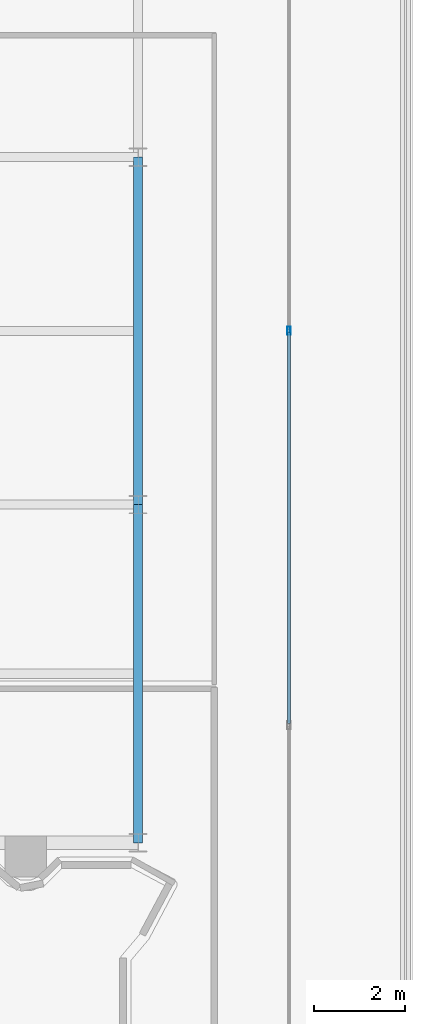
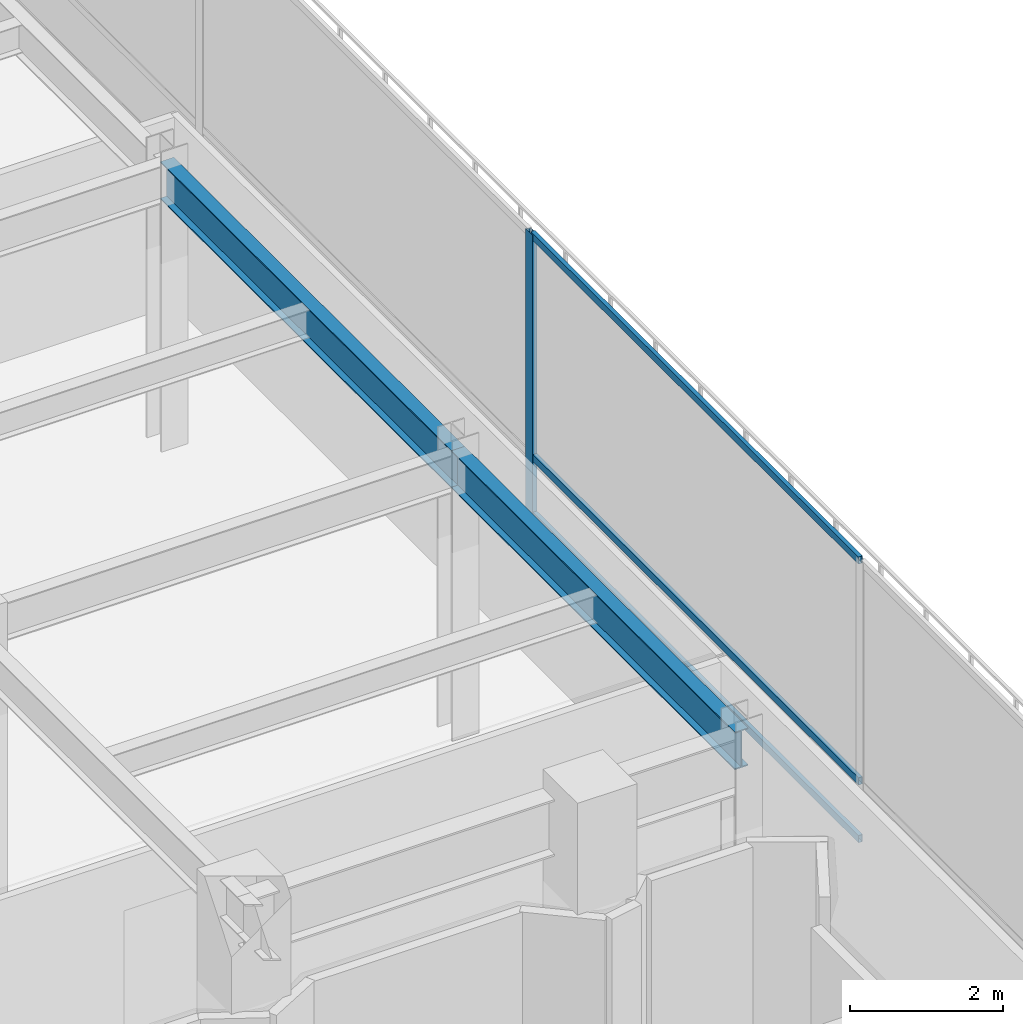
# One storey, part 22 of 39: 4 members, 2 beams, 1 element without a shape of its own.
"""IFC4 building model written with IfcOpenShell, lengths in metres."""

import ifcopenshell
import ifcopenshell.guid

model = None  # the IFC model being written
_history = None  # IfcOwnerHistory: only IFC2X3 demands one
_inside = {}  # id of a spatial element -> (the spatial element, [elements in it])
_under = {}  # id of a project, library or spatial element -> (it, [spatial elements below it])
_declared = {}  # id of a project -> (the project, [libraries it declares])
_typed = {}  # id of a type object -> (the type object, [elements of that type])
_made_of = {}  # id of a material, layer set ... -> (it, [elements and type objects made of it])


def new_model(schema):
    """Start an empty IFC model of exactly this schema.

    Asked for "IFC4X3", IfcOpenShell would pick the latest addendum, in which some entities
    have other attributes; the version numbers below select the first issue.
    IFC2X3 requires an IfcOwnerHistory on every rooted entity: one is made here for all.
    """
    global model, _history
    if schema == "IFC4X3":
        model = ifcopenshell.file(schema_version=(4, 3, 0, 0))
    else:
        model = ifcopenshell.file(schema=schema)
    _inside.clear()
    _under.clear()
    _declared.clear()
    _typed.clear()
    _made_of.clear()
    _history = None
    if model.schema == "IFC2X3":
        org = make("IfcOrganization", Name="unknown")
        user = make(
            "IfcPersonAndOrganization",
            ThePerson=make("IfcPerson", FamilyName="unknown"),
            TheOrganization=org,
        )
        app = make(
            "IfcApplication",
            ApplicationDeveloper=org,
            Version="unknown",
            ApplicationFullName="unknown",
            ApplicationIdentifier="unknown",
        )
        _history = make(
            "IfcOwnerHistory",
            OwningUser=user,
            OwningApplication=app,
            ChangeAction="ADDED",
            CreationDate=0,
        )
    return model


def make(cls, **values):
    """One entity of the class cls with the attributes given. An attribute that is None is left unset."""
    return model.create_entity(
        cls, **{name: value for name, value in values.items() if value is not None}
    )


def rooted(cls, **values):
    """An entity with a GlobalId (a new one), such as an element, a storey or a relation."""
    return make(cls, GlobalId=ifcopenshell.guid.new(), OwnerHistory=_history, **values)


def si_unit(unit_type, name, prefix=None):
    """IfcSIUnit, for example si_unit("LENGTHUNIT", "METRE", prefix="MILLI")."""
    return make("IfcSIUnit", UnitType=unit_type, Prefix=prefix, Name=name)


def assignment(units):
    """IfcUnitAssignment: the units of a project."""
    return None if units is None else make("IfcUnitAssignment", Units=units)


def point(xyz):
    """IfcCartesianPoint."""
    return None if xyz is None else make("IfcCartesianPoint", Coordinates=xyz)


def direction(xyz):
    """IfcDirection."""
    return None if xyz is None else make("IfcDirection", DirectionRatios=xyz)


def frame(location, z_axis=None, x_axis=None):
    """IfcAxis2Placement3D, a coordinate frame: its origin and axes. An axis left out is left unset."""
    return make(
        "IfcAxis2Placement3D",
        Location=point(location),
        Axis=direction(z_axis),
        RefDirection=direction(x_axis),
    )


def frame_2d(location, x_axis=None):
    """IfcAxis2Placement2D, a coordinate frame in the plane: its origin and x axis."""
    return make(
        "IfcAxis2Placement2D", Location=point(location), RefDirection=direction(x_axis)
    )


def origin():
    """The frame at (0, 0, 0) with its axes left unset."""
    return frame((0.0, 0.0, 0.0))


def origin_2d():
    """The frame at (0, 0) in the plane with its x axis left unset."""
    return frame_2d((0.0, 0.0))


def place(relative_to, where):
    """IfcLocalPlacement: puts the frame where relative to a parent placement (None: the world)."""
    return make(
        "IfcLocalPlacement", PlacementRelTo=relative_to, RelativePlacement=where
    )


def context(
    kind, dimensions, precision=None, world=None, true_north=None, identifier=None
):
    """IfcGeometricRepresentationContext, for example the 3D "Model" context."""
    return make(
        "IfcGeometricRepresentationContext",
        ContextIdentifier=identifier,
        ContextType=kind,
        CoordinateSpaceDimension=dimensions,
        Precision=precision,
        WorldCoordinateSystem=world,
        TrueNorth=true_north,
    )


def subcontext(parent, identifier, kind, view, scale=None):
    """IfcGeometricRepresentationSubContext, for example "Body" below "Model"."""
    return make(
        "IfcGeometricRepresentationSubContext",
        ContextIdentifier=identifier,
        ContextType=kind,
        ParentContext=parent,
        TargetScale=scale,
        TargetView=view,
    )


def project(units=None, contexts=None):
    """IfcProject with its units and contexts."""
    return rooted(
        "IfcProject",
        Name="project",
        RepresentationContexts=contexts,
        UnitsInContext=assignment(units),
    )


def spatial(cls, under=None, at=None, **own):
    """A site, building, storey or space (cls), placed at a placement, below another one or the project."""
    s = rooted(cls, ObjectPlacement=at, **own)
    if under is not None:
        _under.setdefault(under.id(), (under, []))[1].append(s)
    return s


def profile(cls, at=None, kind="AREA", **sizes):
    """A parametric profile (cls). Its sizes go by their IFC names, for example OverallWidth=200.0."""
    return make(cls, ProfileType=kind, Position=at, **sizes)


def hollow_rectangle(**sizes):
    """IfcRectangleHollowProfileDef."""
    return profile("IfcRectangleHollowProfileDef", **sizes)


def i_section(**sizes):
    """IfcIShapeProfileDef."""
    return profile("IfcIShapeProfileDef", **sizes)


def extrude(swept, where, along, depth):
    """IfcExtrudedAreaSolid: the profile swept, set in the frame where, extruded along a direction by depth."""
    return make(
        "IfcExtrudedAreaSolid",
        SweptArea=swept,
        Position=where,
        ExtrudedDirection=direction(along),
        Depth=depth,
    )


def shape(context_of_items, identifier, shape_type, items):
    """IfcShapeRepresentation: the items that make up one representation, for example the "Body"."""
    return make(
        "IfcShapeRepresentation",
        ContextOfItems=context_of_items,
        RepresentationIdentifier=identifier,
        RepresentationType=shape_type,
        Items=items,
    )


def material(Name=None, Category=None):
    """IfcMaterial."""
    return make("IfcMaterial", Name=Name, Category=Category)


def layer(
    of_material, thickness, ventilated=None, Name=None, Category=None, Priority=None
):
    """IfcMaterialLayer: one layer of a wall or slab, of a material (None: an air gap)."""
    return make(
        "IfcMaterialLayer",
        Material=of_material,
        LayerThickness=thickness,
        IsVentilated=ventilated,
        Name=Name,
        Category=Category,
        Priority=Priority,
    )


def layer_set(layers, Name=None):
    """IfcMaterialLayerSet."""
    return make("IfcMaterialLayerSet", MaterialLayers=layers, LayerSetName=Name)


def material_profile(
    of_material, cross_section, Name=None, Category=None, Priority=None
):
    """IfcMaterialProfile: a cross section and its material."""
    return make(
        "IfcMaterialProfile",
        Name=Name,
        Material=of_material,
        Profile=cross_section,
        Priority=Priority,
        Category=Category,
    )


def profile_set(profiles, Name=None, composite=None):
    """IfcMaterialProfileSet."""
    return make(
        "IfcMaterialProfileSet",
        Name=Name,
        MaterialProfiles=profiles,
        CompositeProfile=composite,
    )


def made_of(thing, what):
    """Note that an element or type object is made of a material, layer set ...; save() writes the relation."""
    if what is not None:
        _made_of.setdefault(what.id(), (what, []))[1].append(thing)
    return thing


def type_object(cls, material=None, **own):
    """A type object (cls), such as IfcWallType, which elements share."""
    return made_of(rooted(cls, **own), material)


def element(
    cls,
    number,
    at=None,
    inside=None,
    cuts=None,
    type_object=None,
    material=None,
    context=None,
    identifier="Body",
    shape_type=None,
    held_by="IfcProductDefinitionShape",
    body=None,
    shapes=None,
    **own,
):
    """One element of the class cls, such as IfcWall. Its Tag is "e" and its number.

    at: its placement. inside: the storey or other place that contains it. cuts: it is an
    opening in that element (IfcRelVoidsElement). A single representation is given by context,
    identifier, shape_type and body (its items); several are given by shapes. held_by: the class
    of the entity that holds the representations. save() writes the other relations.
    """
    e = rooted(cls, Tag="e%d" % number, ObjectPlacement=at, **own)
    if body is not None:
        shapes = [shape(context, identifier, shape_type, body)]
    if shapes is not None:
        e.Representation = make(held_by, Representations=shapes)
    if inside is not None:
        _inside.setdefault(inside.id(), (inside, []))[1].append(e)
    if cuts is not None:
        rooted(
            "IfcRelVoidsElement", RelatingBuildingElement=cuts, RelatedOpeningElement=e
        )
    if type_object is not None:
        _typed.setdefault(type_object.id(), (type_object, []))[1].append(e)
    return made_of(e, material)


def aggregate(whole, parts):
    """IfcRelAggregates: a whole, such as a stair, and the parts it consists of."""
    return rooted("IfcRelAggregates", RelatingObject=whole, RelatedObjects=parts)


def save(model, path):
    """Write the relations noted so far, then the file.

    IfcRelAggregates (storeys below a building ...), IfcRelContainedInSpatialStructure (elements
    in a storey), IfcRelDefinesByType, IfcRelAssociatesMaterial and IfcRelDeclares: one each for
    every whole, place, type object, material and project.
    """
    for whole, parts in _under.values():
        aggregate(whole, parts)
    for where, things in _inside.values():
        rooted(
            "IfcRelContainedInSpatialStructure",
            RelatedElements=things,
            RelatingStructure=where,
        )
    for kind, things in _typed.values():
        rooted("IfcRelDefinesByType", RelatedObjects=things, RelatingType=kind)
    for what, things in _made_of.values():
        rooted("IfcRelAssociatesMaterial", RelatedObjects=things, RelatingMaterial=what)
    for by, libraries in _declared.values():
        rooted("IfcRelDeclares", RelatingContext=by, RelatedDefinitions=libraries)
    model.write(path)


model = new_model("IFC4")

# Units and contexts
model_context = context("Model", 3, precision=1e-05, world=origin(), true_north=direction((0.0, 1.0)))
body_context = subcontext(model_context, "Body", "Model", "MODEL_VIEW")
ifc_project = project(units=[si_unit("LENGTHUNIT", "METRE"), si_unit("AREAUNIT", "SQUARE_METRE"), si_unit("VOLUMEUNIT", "CUBIC_METRE"), si_unit("PLANEANGLEUNIT", "RADIAN"), si_unit("MASSUNIT", "GRAM", prefix="KILO")], contexts=[model_context])

# Site, building, storey
site_placement = place(None, origin())
site = spatial("IfcSite", under=ifc_project, at=site_placement, CompositionType="ELEMENT")
building_placement = place(site_placement, origin())
building = spatial("IfcBuilding", under=site, at=building_placement, Name="Qianvela Tower", CompositionType="ELEMENT")
storey_placement = place(building_placement, frame((0.0, 0.0, 15.800048828125)))
storey = spatial("IfcBuildingStorey", under=building, at=storey_placement, Name="L03", CompositionType="ELEMENT", Elevation=15.800048828125)

# Beams
ifc_material_1 = material(Name="Steel Q355B", Category="steel")
ifc_material_profile_1 = material_profile(ifc_material_1, i_section(OverallWidth=0.199951171875, OverallDepth=0.60009765625, WebThickness=0.010986328125, FlangeThickness=0.01708984375, at=origin_2d()), Name="HN600x200x11x17")
ifc_profile_set_1 = profile_set([ifc_material_profile_1], Name="Steel Q355B")
beam_type = type_object("IfcBeamType", Name="BM-HN600-GIRD", PredefinedType="BEAM", material=ifc_profile_set_1)
beam_1_placement = place(storey_placement, frame((67.5, 14.800048828125, 4.197998046875), z_axis=(0.0, 1.0, 0.0), x_axis=(-1.0, 0.0, 0.0)))
element("IfcBeam", 1, at=beam_1_placement, inside=storey, type_object=beam_type, Name="L03 North-South Grid Girder 32", PredefinedType="BEAM", context=body_context, shape_type="SweptSolid", body=[
    extrude(i_section(OverallWidth=0.199951171875, OverallDepth=0.60009765625, WebThickness=0.010986328125, FlangeThickness=0.01708984375, at=origin_2d()), origin(), (0.0, 0.0, 1.0), 7.39990234375),
])
beam_2_placement = place(storey_placement, frame((67.5, 22.199951171875, 4.197998046875), z_axis=(0.0, 1.0, 0.0), x_axis=(-1.0, 0.0, 0.0)))
element("IfcBeam", 2, at=beam_2_placement, inside=storey, type_object=beam_type, Name="L03 North-South Grid Girder 33", PredefinedType="BEAM", context=body_context, shape_type="SweptSolid", body=[
    extrude(i_section(OverallWidth=0.199951171875, OverallDepth=0.60009765625, WebThickness=0.010986328125, FlangeThickness=0.01708984375, at=origin_2d()), origin(), (0.0, 0.0, 1.0), 7.60009765625),
])

# Curtain wall, members
ifc_material_2 = material(Name="Anodised Architectural Aluminium and Low-E Glass", Category="aluminium")
ifc_layer = layer(ifc_material_2, 0.179931640625)
ifc_layer_set = layer_set([ifc_layer], Name="Anodised Architectural Aluminium and Low-E Glass")
curtain_wall_type = type_object("IfcCurtainWallType", Name="CW-COMMONS", PredefinedType="USERDEFINED", material=ifc_layer_set)
curtain_wall_placement = place(storey_placement, origin())
curtain_wall = element("IfcCurtainWall", 3, at=curtain_wall_placement, inside=storey, type_object=curtain_wall_type, Name="L03 CW-COMMONS Curtain Wall 03", ObjectType="CURTAIN_WALL_SYSTEM", PredefinedType="USERDEFINED")
ifc_material_3 = material(Name="Anodised Architectural Aluminium 6063-T6", Category="aluminium")
ifc_material_profile_2 = material_profile(ifc_material_3, hollow_rectangle(XDim=0.070068359375, YDim=0.179931640625, WallThickness=0.0048828125, at=origin_2d()), Name="ALU-MULL-70x180")
ifc_profile_set_2 = profile_set([ifc_material_profile_2], Name="Anodised Architectural Aluminium 6063-T6")
member_type_1 = type_object("IfcMemberType", Name="CW-COMMONS-MULL", PredefinedType="MULLION", material=ifc_profile_set_2)
member_1_placement = place(storey_placement, frame((70.800048828125, 26.0, 0.0), z_axis=(0.0, 0.0, 1.0), x_axis=(-1.0, 0.0, 0.0)))
member_1 = element("IfcMember", 4, at=member_1_placement, type_object=member_type_1, Name="CW-2 mullion 3", PredefinedType="MULLION", context=body_context, shape_type="SweptSolid", body=[
    extrude(hollow_rectangle(XDim=0.070068359375, YDim=0.179931640625, WallThickness=0.0048828125, at=origin_2d()), origin(), (0.0, 0.0, 1.0), 4.5),
])
ifc_material_4 = material(Name="Anodised Architectural Aluminium 6063-T6", Category="aluminium")
ifc_material_profile_3 = material_profile(ifc_material_4, hollow_rectangle(XDim=0.06005859375, YDim=0.114990234375, WallThickness=0.00390625, at=origin_2d()), Name="ALU-TRAN-60x115")
ifc_profile_set_3 = profile_set([ifc_material_profile_3], Name="Anodised Architectural Aluminium 6063-T6")
member_type_2 = type_object("IfcMemberType", Name="CW-COMMONS-TRAN", PredefinedType="USERDEFINED", material=ifc_profile_set_3)
member_2_placement = place(storey_placement, frame((70.800048828125, 17.409912109375, 0.030029296875), z_axis=(0.0, 1.0, 0.0), x_axis=(-1.0, 0.0, 0.0)))
member_2 = element("IfcMember", 5, at=member_2_placement, type_object=member_type_2, Name="CW-2 transom 2.1", ObjectType="TRANSOM", PredefinedType="USERDEFINED", context=body_context, shape_type="SweptSolid", body=[
    extrude(hollow_rectangle(XDim=0.06005859375, YDim=0.114990234375, WallThickness=0.00390625, at=origin_2d()), origin(), (0.0, 0.0, 1.0), 8.55517578125),
])
member_3_placement = place(storey_placement, frame((70.800048828125, 17.409912109375, 0.949951171875), z_axis=(0.0, 1.0, 0.0), x_axis=(-1.0, 0.0, 0.0)))
member_3 = element("IfcMember", 6, at=member_3_placement, type_object=member_type_2, Name="CW-2 transom 2.2", ObjectType="TRANSOM", PredefinedType="USERDEFINED", context=body_context, shape_type="SweptSolid", body=[
    extrude(hollow_rectangle(XDim=0.06005859375, YDim=0.114990234375, WallThickness=0.00390625, at=origin_2d()), origin(), (0.0, 0.0, 1.0), 8.55517578125),
])
member_4_placement = place(storey_placement, frame((70.800048828125, 17.409912109375, 4.469970703125), z_axis=(0.0, 1.0, 0.0), x_axis=(-1.0, 0.0, 0.0)))
member_4 = element("IfcMember", 7, at=member_4_placement, type_object=member_type_2, Name="CW-2 transom 2.3", ObjectType="TRANSOM", PredefinedType="USERDEFINED", context=body_context, shape_type="SweptSolid", body=[
    extrude(hollow_rectangle(XDim=0.06005859375, YDim=0.114990234375, WallThickness=0.00390625, at=origin_2d()), origin(), (0.0, 0.0, 1.0), 8.55517578125),
])
aggregate(curtain_wall, [member_1, member_2, member_3, member_4])

save(model, "model.ifc")
